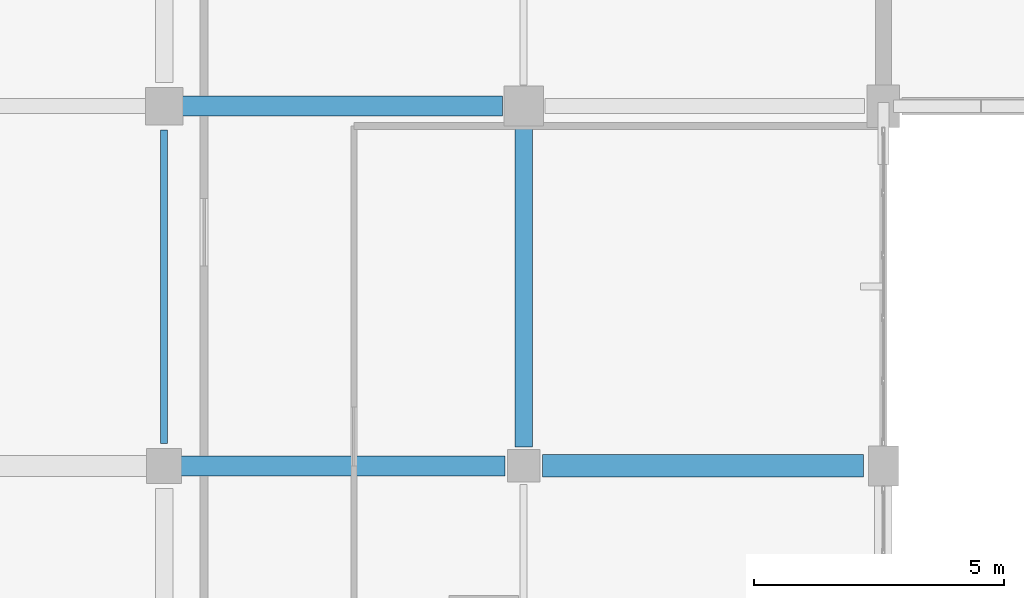
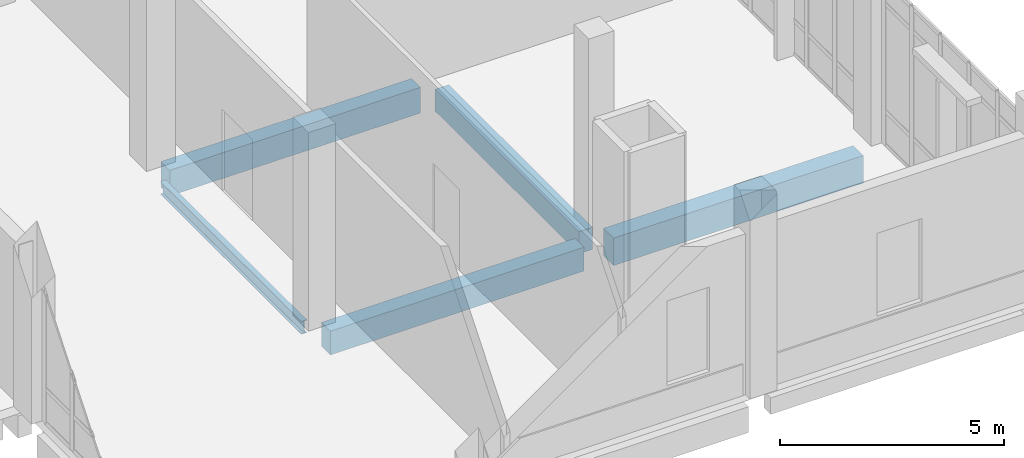
# One storey, part 11 of 110: 5 beams.
"""IFC4 building model written with IfcOpenShell, lengths in metres."""

from ifc_helpers import new_model, si_unit, direction, frame, origin, origin_2d, place, context, subcontext, project, spatial, rectangle, i_section, extrude, material, material_profile, profile_set, type_object, element, save


model = new_model("IFC4")

# Units and contexts
model_context = context("Model", 3, precision=1e-05, world=origin(), true_north=direction((0.0, 1.0)))
body_context = subcontext(model_context, "Body", "Model", "MODEL_VIEW")
ifc_project = project(units=[si_unit("LENGTHUNIT", "METRE"), si_unit("AREAUNIT", "SQUARE_METRE"), si_unit("VOLUMEUNIT", "CUBIC_METRE"), si_unit("PLANEANGLEUNIT", "RADIAN"), si_unit("MASSUNIT", "GRAM", prefix="KILO")], contexts=[model_context])

# Site, building, storey
site_placement = place(None, origin())
site = spatial("IfcSite", under=ifc_project, at=site_placement, CompositionType="ELEMENT")
building_placement = place(site_placement, origin())
building = spatial("IfcBuilding", under=site, at=building_placement, Name="Kalluvel Institute of Natural Sciences", CompositionType="ELEMENT")
storey_placement = place(building_placement, origin())
storey = spatial("IfcBuildingStorey", under=building, at=storey_placement, Name="L00", CompositionType="ELEMENT", Elevation=0.0)

# Beams
ifc_material_1 = material(Name="Steel E350 Grade 350", Category="steel")
ifc_material_profile_1 = material_profile(ifc_material_1, i_section(OverallWidth=0.139892578125, OverallDepth=0.35009765625, WebThickness=0.008056640625, FlangeThickness=0.01416015625, FilletRadius=0.013916015625, at=origin_2d()), Name="ISMB 350")
ifc_profile_set_1 = profile_set([ifc_material_profile_1], Name="Steel E350 Grade 350")
beam_type_1 = type_object("IfcBeamType", Name="BM-ISMB350", PredefinedType="BEAM", material=ifc_profile_set_1)
beam_1_placement = place(storey_placement, frame((21.199951171875, 21.64990234375, -0.4951171875), z_axis=(0.0, 1.0, 0.0), x_axis=(-1.0, 0.0, 0.0)))
element("IfcBeam", 1, at=beam_1_placement, inside=storey, type_object=beam_type_1, Name="L00 girder GIR-L00-NS-X212-Y212", PredefinedType="BEAM", context=body_context, shape_type="SweptSolid", body=[
    extrude(i_section(OverallWidth=0.139892578125, OverallDepth=0.35009765625, WebThickness=0.008056640625, FlangeThickness=0.01416015625, FilletRadius=0.013916015625, at=origin_2d()), origin(), (0.0, 0.0, 1.0), 6.275146484375),
])
ifc_material_2 = material(Name="Concrete M40", Category="concrete")
ifc_material_profile_2 = material_profile(ifc_material_2, rectangle(XDim=0.35009765625, YDim=0.60009765625, at=origin_2d()), Name="RCB 350x600")
ifc_profile_set_2 = profile_set([ifc_material_profile_2], Name="Concrete M40")
beam_type_2 = type_object("IfcBeamType", Name="BM-RC350x600", PredefinedType="BEAM", material=ifc_profile_set_2)
beam_2_placement = place(storey_placement, frame((28.39990234375, 21.574951171875, -0.6201171875), z_axis=(0.0, 1.0, 0.0), x_axis=(-1.0, 0.0, 0.0)))
element("IfcBeam", 2, at=beam_2_placement, inside=storey, type_object=beam_type_2, Name="L00 girder GIR-L00-NS-X284-Y212", PredefinedType="BEAM", context=body_context, shape_type="SweptSolid", body=[
    extrude(rectangle(XDim=0.35009765625, YDim=0.60009765625, at=origin_2d()), origin(), (0.0, 0.0, 1.0), 6.400146484375),
])
ifc_material_profile_3 = material_profile(ifc_material_2, rectangle(XDim=0.39990234375, YDim=0.64990234375, at=origin_2d()), Name="RCB 400x650")
ifc_profile_set_3 = profile_set([ifc_material_profile_3], Name="Concrete M40")
beam_type_3 = type_object("IfcBeamType", Name="BM-RC400x650", PredefinedType="BEAM", material=ifc_profile_set_3)
beam_3_placement = place(storey_placement, frame((21.5, 21.199951171875, -0.64501953125), z_axis=(1.0, 0.0, 0.0), x_axis=(0.0, 1.0, 0.0)))
element("IfcBeam", 3, at=beam_3_placement, inside=storey, type_object=beam_type_3, Name="L00 girder GIR-L00-EW-X212-Y212", PredefinedType="BEAM", context=body_context, shape_type="SweptSolid", body=[
    extrude(rectangle(XDim=0.39990234375, YDim=0.64990234375, at=origin_2d()), origin(), (0.0, 0.0, 1.0), 6.52490234375),
])
ifc_material_profile_4 = material_profile(ifc_material_2, rectangle(XDim=0.449951171875, YDim=0.75, at=origin_2d()), Name="RCB 450x750")
ifc_profile_set_4 = profile_set([ifc_material_profile_4], Name="Concrete M40")
beam_type_4 = type_object("IfcBeamType", Name="BM-RC450x750", PredefinedType="BEAM", material=ifc_profile_set_4)
beam_4_placement = place(storey_placement, frame((28.77490234375, 21.199951171875, -0.695068359375), z_axis=(1.0, 0.0, 0.0), x_axis=(0.0, 1.0, 0.0)))
element("IfcBeam", 4, at=beam_4_placement, inside=storey, type_object=beam_type_4, Name="L00 girder GIR-L00-EW-X284-Y212", PredefinedType="BEAM", context=body_context, shape_type="SweptSolid", body=[
    extrude(rectangle(XDim=0.449951171875, YDim=0.75, at=origin_2d()), origin(), (0.0, 0.0, 1.0), 6.425048828125),
])
ifc_material_profile_5 = material_profile(ifc_material_2, rectangle(XDim=0.39990234375, YDim=0.699951171875, at=origin_2d()), Name="RCB 400x700")
ifc_profile_set_5 = profile_set([ifc_material_profile_5], Name="Concrete M40")
beam_type_5 = type_object("IfcBeamType", Name="SP-RC400x700", PredefinedType="SPANDREL", material=ifc_profile_set_5)
beam_5_placement = place(storey_placement, frame((21.52490234375, 28.39990234375, -0.669921875), z_axis=(1.0, 0.0, 0.0), x_axis=(0.0, 1.0, 0.0)))
element("IfcBeam", 5, at=beam_5_placement, inside=storey, type_object=beam_type_5, Name="L00 girder GIR-L00-EW-X212-Y284", PredefinedType="SPANDREL", context=body_context, shape_type="SweptSolid", body=[
    extrude(rectangle(XDim=0.39990234375, YDim=0.699951171875, at=origin_2d()), origin(), (0.0, 0.0, 1.0), 6.4501953125),
])

save(model, "model.ifc")
